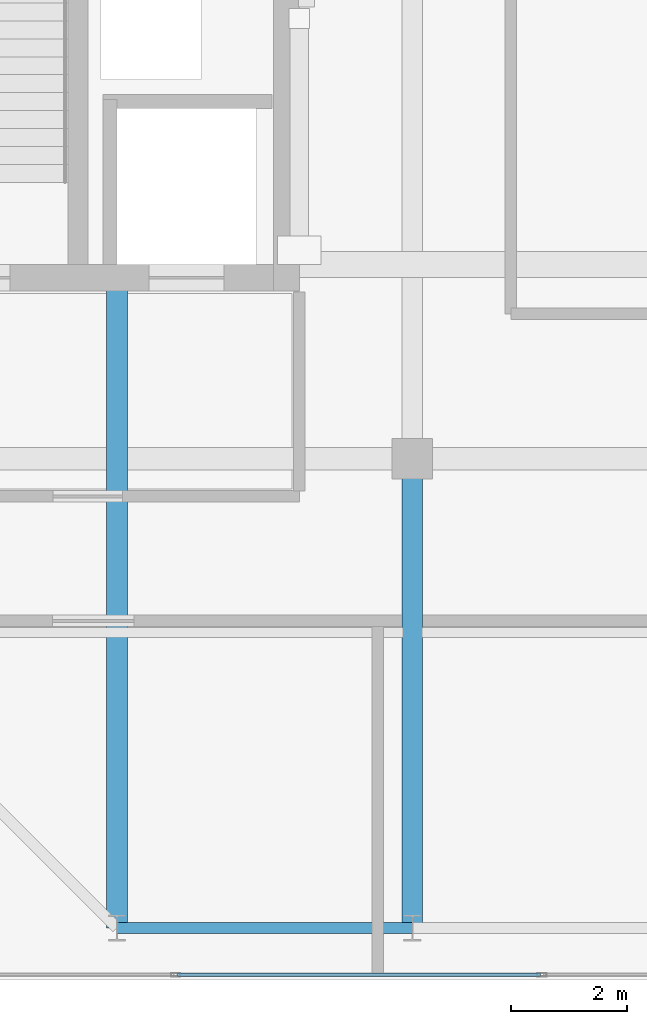
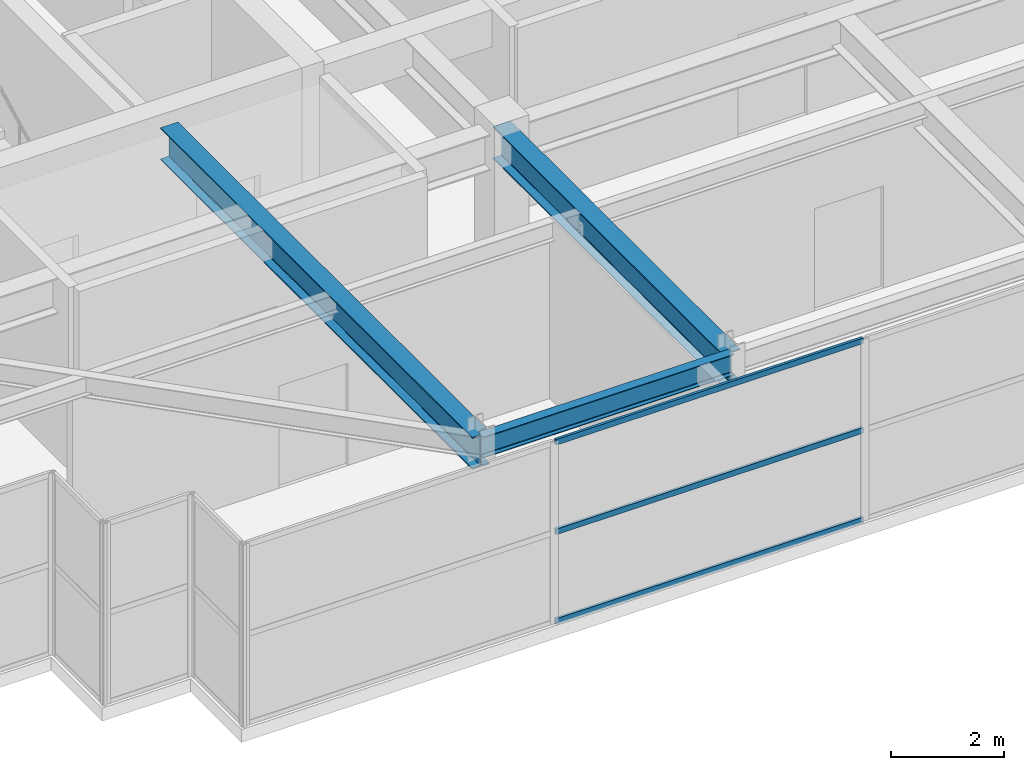
# One storey, part 4 of 32: 3 beams, 3 members, 1 element without a shape of its own.
"""IFC4 building model written with IfcOpenShell, lengths in metres."""

from ifc_helpers import new_model, si_unit, direction, frame, origin, origin_2d, place, context, subcontext, project, spatial, hollow_rectangle, i_section, extrude, source, transform, mapped, material, layer, layer_set, material_profile, profile_set, type_object, element, aggregate, save


model = new_model("IFC4")

# Units and contexts
model_context = context("Model", 3, precision=1e-05, world=origin(), true_north=direction((0.0, 1.0)))
body_context = subcontext(model_context, "Body", "Model", "MODEL_VIEW")
ifc_project = project(units=[si_unit("LENGTHUNIT", "METRE"), si_unit("AREAUNIT", "SQUARE_METRE"), si_unit("VOLUMEUNIT", "CUBIC_METRE"), si_unit("PLANEANGLEUNIT", "RADIAN"), si_unit("MASSUNIT", "GRAM", prefix="KILO")], contexts=[model_context])

# Site, building, storey
site_placement = place(None, origin())
site = spatial("IfcSite", under=ifc_project, at=site_placement, CompositionType="ELEMENT")
building_placement = place(site_placement, origin())
building = spatial("IfcBuilding", under=site, at=building_placement, Name="Khoralis Quay Care Tower", CompositionType="ELEMENT")
storey_placement = place(building_placement, frame((0.0, 0.0, 297.89990234375)))
storey = spatial("IfcBuildingStorey", under=building, at=storey_placement, Name="L78", CompositionType="ELEMENT", Elevation=297.89990234375)

# Beams
ifc_material_1 = material(Name="Steel S355", Category="steel")
ifc_material_profile_1 = material_profile(ifc_material_1, i_section(OverallWidth=0.18994140625, OverallDepth=0.449951171875, WebThickness=0.009521484375, FlangeThickness=0.0146484375, FilletRadius=0.02099609375, at=origin_2d()), Name="Steel S355")
ifc_profile_set_1 = profile_set([ifc_material_profile_1], Name="Steel S355")
beam_type_1 = type_object("IfcBeamType", Name="BM-IPE450", PredefinedType="SPANDREL", material=ifc_profile_set_1)
shared_shape_1 = source(origin(), body_context, "Body", "SweptSolid", [
    extrude(i_section(OverallWidth=0.18994140625, OverallDepth=0.449951171875, WebThickness=0.009521484375, FlangeThickness=0.0146484375, FilletRadius=0.02099609375, at=origin_2d()), origin(), (0.0, 0.0, 1.0), 5.10009765625),
])
beam_1_placement = place(storey_placement, frame((12.0, 3.89990234375, 3.695068359375), z_axis=(1.0, 0.0, 0.0), x_axis=(0.0, 1.0, 0.0)))
element("IfcBeam", 1, at=beam_1_placement, inside=storey, type_object=beam_type_1, Name="BM-TSP-L78-01", PredefinedType="SPANDREL", context=body_context, shape_type="MappedRepresentation", body=[
    mapped(shared_shape_1, transform((0.0, 0.0, 0.0), scale=1.0)),
])
ifc_material_profile_2 = material_profile(ifc_material_1, i_section(OverallWidth=0.35498046875, OverallDepth=0.695068359375, WebThickness=0.015380859375, FlangeThickness=0.02490234375, FilletRadius=0.02001953125, at=origin_2d()), Name="Steel S355")
ifc_profile_set_2 = profile_set([ifc_material_profile_2], Name="Steel S355")
beam_type_2 = type_object("IfcBeamType", Name="BM-W690X217", PredefinedType="BEAM", material=ifc_profile_set_2)
shared_shape_2 = source(origin(), body_context, "Body", "SweptSolid", [
    extrude(i_section(OverallWidth=0.35498046875, OverallDepth=0.695068359375, WebThickness=0.015380859375, FlangeThickness=0.02490234375, FilletRadius=0.02001953125, at=origin_2d()), origin(), (0.0, 0.0, 1.0), 11.002197265625),
])
beam_2_placement = place(storey_placement, frame((12.0, 3.89990234375, 3.572509765625), z_axis=(0.0, 1.0, 0.0), x_axis=(-1.0, 0.0, 0.0)))
element("IfcBeam", 2, at=beam_2_placement, inside=storey, type_object=beam_type_2, Name="BM-TGYS-L78-120", PredefinedType="BEAM", context=body_context, shape_type="MappedRepresentation", body=[
    mapped(shared_shape_2, transform((0.0, 0.0, 0.0), scale=1.0)),
])
shared_shape_3 = source(origin(), body_context, "Body", "SweptSolid", [
    extrude(i_section(OverallWidth=0.35498046875, OverallDepth=0.695068359375, WebThickness=0.015380859375, FlangeThickness=0.02490234375, FilletRadius=0.02001953125, at=origin_2d()), origin(), (0.0, 0.0, 1.0), 8.10009765625),
])
beam_3_placement = place(storey_placement, frame((17.10009765625, 3.89990234375, 3.572509765625), z_axis=(0.0, 1.0, 0.0), x_axis=(-1.0, 0.0, 0.0)))
element("IfcBeam", 3, at=beam_3_placement, inside=storey, type_object=beam_type_2, Name="BM-TGYS-L78-171", PredefinedType="BEAM", context=body_context, shape_type="MappedRepresentation", body=[
    mapped(shared_shape_3, transform((0.0, 0.0, 0.0), scale=1.0)),
])

# Curtain wall, members
ifc_material_2 = material(Name="Pale anodised aluminium", Category="aluminium")
ifc_layer = layer(ifc_material_2, 0.199951171875)
ifc_layer_set = layer_set([ifc_layer], Name="Pale anodised aluminium")
curtain_wall_type = type_object("IfcCurtainWallType", Name="CW-SYS-LANTERN", PredefinedType="NOTDEFINED", material=ifc_layer_set)
curtain_wall_placement = place(storey_placement, origin())
curtain_wall = element("IfcCurtainWall", 4, at=curtain_wall_placement, inside=storey, type_object=curtain_wall_type, Name="L78 Unitised Curtain Wall CW-LN-L78-01", PredefinedType="NOTDEFINED")
ifc_material_profile_3 = material_profile(ifc_material_2, hollow_rectangle(XDim=0.054931640625, YDim=0.1201171875, WallThickness=0.00390625, at=origin_2d()), Name="Pale anodised aluminium")
ifc_profile_set_3 = profile_set([ifc_material_profile_3], Name="Pale anodised aluminium")
member_type = type_object("IfcMemberType", Name="CW-TRN-120", PredefinedType="USERDEFINED", material=ifc_profile_set_3)
shared_shape_4 = source(origin(), body_context, "Body", "SweptSolid", [
    extrude(hollow_rectangle(XDim=0.054931640625, YDim=0.1201171875, WallThickness=0.00390625, at=origin_2d()), origin(), (0.0, 0.0, 1.0), 6.26416015625),
])
member_1_placement = place(storey_placement, frame((13.0439453125, 3.090087890625, 0.030029296875), z_axis=(1.0, 0.0, 0.0), x_axis=(0.0, 1.0, 0.0)))
member_1 = element("IfcMember", 5, at=member_1_placement, type_object=member_type, Name="CW5 transom 2.1", ObjectType="TRANSOM", PredefinedType="USERDEFINED", context=body_context, shape_type="MappedRepresentation", body=[
    mapped(shared_shape_4, transform((0.0, 0.0, 0.0), scale=1.0)),
])
member_2_placement = place(storey_placement, frame((13.0439453125, 3.090087890625, 1.960205078125), z_axis=(1.0, 0.0, 0.0), x_axis=(0.0, 1.0, 0.0)))
member_2 = element("IfcMember", 6, at=member_2_placement, type_object=member_type, Name="CW5 transom 2.2", ObjectType="TRANSOM", PredefinedType="USERDEFINED", context=body_context, shape_type="MappedRepresentation", body=[
    mapped(shared_shape_4, transform((0.0, 0.0, 0.0), scale=1.0)),
])
member_3_placement = place(storey_placement, frame((13.0439453125, 3.090087890625, 3.89013671875), z_axis=(1.0, 0.0, 0.0), x_axis=(0.0, 1.0, 0.0)))
member_3 = element("IfcMember", 7, at=member_3_placement, type_object=member_type, Name="CW5 transom 2.3", ObjectType="TRANSOM", PredefinedType="USERDEFINED", context=body_context, shape_type="MappedRepresentation", body=[
    mapped(shared_shape_4, transform((0.0, 0.0, 0.0), scale=1.0)),
])
aggregate(curtain_wall, [member_1, member_2, member_3])

save(model, "model.ifc")
